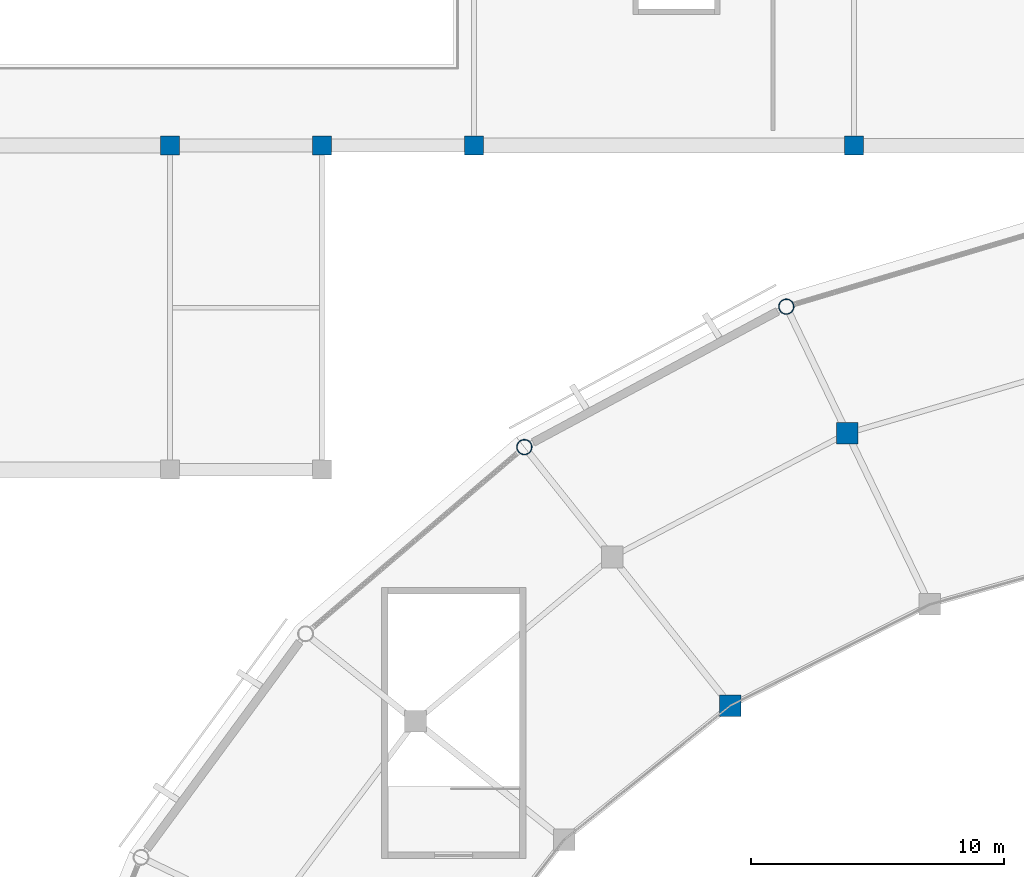
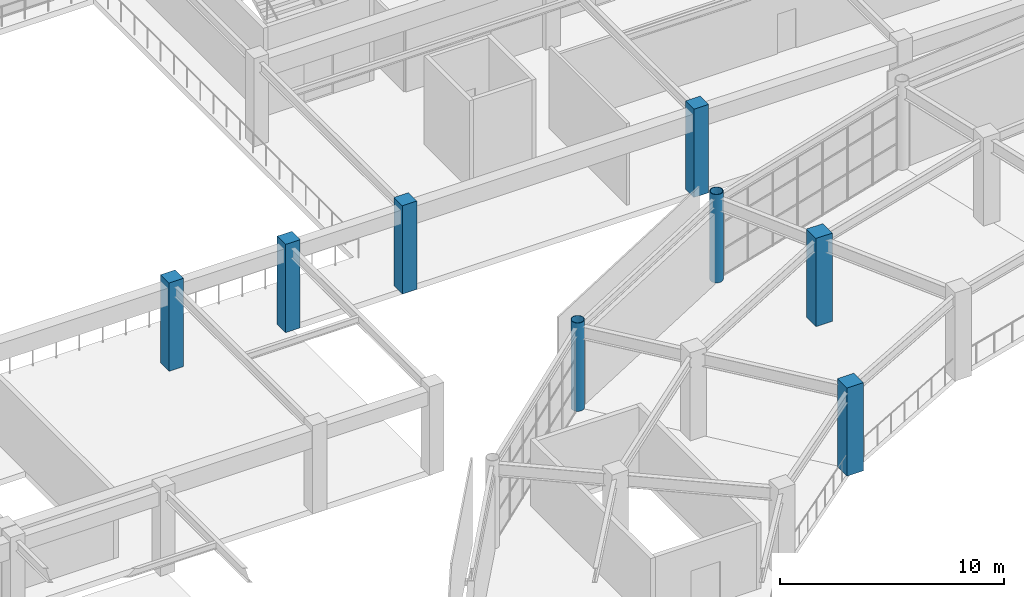
# One storey, part 8 of 112: 8 columns.
"""IFC4 building model written with IfcOpenShell, lengths in metres."""

import ifcopenshell
import ifcopenshell.guid

model = None  # the IFC model being written
_history = None  # IfcOwnerHistory: only IFC2X3 demands one
_inside = {}  # id of a spatial element -> (the spatial element, [elements in it])
_under = {}  # id of a project, library or spatial element -> (it, [spatial elements below it])
_declared = {}  # id of a project -> (the project, [libraries it declares])
_typed = {}  # id of a type object -> (the type object, [elements of that type])
_made_of = {}  # id of a material, layer set ... -> (it, [elements and type objects made of it])


def new_model(schema):
    """Start an empty IFC model of exactly this schema.

    Asked for "IFC4X3", IfcOpenShell would pick the latest addendum, in which some entities
    have other attributes; the version numbers below select the first issue.
    IFC2X3 requires an IfcOwnerHistory on every rooted entity: one is made here for all.
    """
    global model, _history
    if schema == "IFC4X3":
        model = ifcopenshell.file(schema_version=(4, 3, 0, 0))
    else:
        model = ifcopenshell.file(schema=schema)
    _inside.clear()
    _under.clear()
    _declared.clear()
    _typed.clear()
    _made_of.clear()
    _history = None
    if model.schema == "IFC2X3":
        org = make("IfcOrganization", Name="unknown")
        user = make(
            "IfcPersonAndOrganization",
            ThePerson=make("IfcPerson", FamilyName="unknown"),
            TheOrganization=org,
        )
        app = make(
            "IfcApplication",
            ApplicationDeveloper=org,
            Version="unknown",
            ApplicationFullName="unknown",
            ApplicationIdentifier="unknown",
        )
        _history = make(
            "IfcOwnerHistory",
            OwningUser=user,
            OwningApplication=app,
            ChangeAction="ADDED",
            CreationDate=0,
        )
    return model


def make(cls, **values):
    """One entity of the class cls with the attributes given. An attribute that is None is left unset."""
    return model.create_entity(
        cls, **{name: value for name, value in values.items() if value is not None}
    )


def rooted(cls, **values):
    """An entity with a GlobalId (a new one), such as an element, a storey or a relation."""
    return make(cls, GlobalId=ifcopenshell.guid.new(), OwnerHistory=_history, **values)


def si_unit(unit_type, name, prefix=None):
    """IfcSIUnit, for example si_unit("LENGTHUNIT", "METRE", prefix="MILLI")."""
    return make("IfcSIUnit", UnitType=unit_type, Prefix=prefix, Name=name)


def assignment(units):
    """IfcUnitAssignment: the units of a project."""
    return None if units is None else make("IfcUnitAssignment", Units=units)


def point(xyz):
    """IfcCartesianPoint."""
    return None if xyz is None else make("IfcCartesianPoint", Coordinates=xyz)


def direction(xyz):
    """IfcDirection."""
    return None if xyz is None else make("IfcDirection", DirectionRatios=xyz)


def frame(location, z_axis=None, x_axis=None):
    """IfcAxis2Placement3D, a coordinate frame: its origin and axes. An axis left out is left unset."""
    return make(
        "IfcAxis2Placement3D",
        Location=point(location),
        Axis=direction(z_axis),
        RefDirection=direction(x_axis),
    )


def frame_2d(location, x_axis=None):
    """IfcAxis2Placement2D, a coordinate frame in the plane: its origin and x axis."""
    return make(
        "IfcAxis2Placement2D", Location=point(location), RefDirection=direction(x_axis)
    )


def origin():
    """The frame at (0, 0, 0) with its axes left unset."""
    return frame((0.0, 0.0, 0.0))


def origin_2d():
    """The frame at (0, 0) in the plane with its x axis left unset."""
    return frame_2d((0.0, 0.0))


def place(relative_to, where):
    """IfcLocalPlacement: puts the frame where relative to a parent placement (None: the world)."""
    return make(
        "IfcLocalPlacement", PlacementRelTo=relative_to, RelativePlacement=where
    )


def context(
    kind, dimensions, precision=None, world=None, true_north=None, identifier=None
):
    """IfcGeometricRepresentationContext, for example the 3D "Model" context."""
    return make(
        "IfcGeometricRepresentationContext",
        ContextIdentifier=identifier,
        ContextType=kind,
        CoordinateSpaceDimension=dimensions,
        Precision=precision,
        WorldCoordinateSystem=world,
        TrueNorth=true_north,
    )


def subcontext(parent, identifier, kind, view, scale=None):
    """IfcGeometricRepresentationSubContext, for example "Body" below "Model"."""
    return make(
        "IfcGeometricRepresentationSubContext",
        ContextIdentifier=identifier,
        ContextType=kind,
        ParentContext=parent,
        TargetScale=scale,
        TargetView=view,
    )


def project(units=None, contexts=None):
    """IfcProject with its units and contexts."""
    return rooted(
        "IfcProject",
        Name="project",
        RepresentationContexts=contexts,
        UnitsInContext=assignment(units),
    )


def spatial(cls, under=None, at=None, **own):
    """A site, building, storey or space (cls), placed at a placement, below another one or the project."""
    s = rooted(cls, ObjectPlacement=at, **own)
    if under is not None:
        _under.setdefault(under.id(), (under, []))[1].append(s)
    return s


def profile(cls, at=None, kind="AREA", **sizes):
    """A parametric profile (cls). Its sizes go by their IFC names, for example OverallWidth=200.0."""
    return make(cls, ProfileType=kind, Position=at, **sizes)


def rectangle(**sizes):
    """IfcRectangleProfileDef."""
    return profile("IfcRectangleProfileDef", **sizes)


def hollow_circle(**sizes):
    """IfcCircleHollowProfileDef."""
    return profile("IfcCircleHollowProfileDef", **sizes)


def extrude(swept, where, along, depth):
    """IfcExtrudedAreaSolid: the profile swept, set in the frame where, extruded along a direction by depth."""
    return make(
        "IfcExtrudedAreaSolid",
        SweptArea=swept,
        Position=where,
        ExtrudedDirection=direction(along),
        Depth=depth,
    )


def shape(context_of_items, identifier, shape_type, items):
    """IfcShapeRepresentation: the items that make up one representation, for example the "Body"."""
    return make(
        "IfcShapeRepresentation",
        ContextOfItems=context_of_items,
        RepresentationIdentifier=identifier,
        RepresentationType=shape_type,
        Items=items,
    )


def material(Name=None, Category=None):
    """IfcMaterial."""
    return make("IfcMaterial", Name=Name, Category=Category)


def material_profile(
    of_material, cross_section, Name=None, Category=None, Priority=None
):
    """IfcMaterialProfile: a cross section and its material."""
    return make(
        "IfcMaterialProfile",
        Name=Name,
        Material=of_material,
        Profile=cross_section,
        Priority=Priority,
        Category=Category,
    )


def profile_set(profiles, Name=None, composite=None):
    """IfcMaterialProfileSet."""
    return make(
        "IfcMaterialProfileSet",
        Name=Name,
        MaterialProfiles=profiles,
        CompositeProfile=composite,
    )


def made_of(thing, what):
    """Note that an element or type object is made of a material, layer set ...; save() writes the relation."""
    if what is not None:
        _made_of.setdefault(what.id(), (what, []))[1].append(thing)
    return thing


def type_object(cls, material=None, **own):
    """A type object (cls), such as IfcWallType, which elements share."""
    return made_of(rooted(cls, **own), material)


def element(
    cls,
    number,
    at=None,
    inside=None,
    cuts=None,
    type_object=None,
    material=None,
    context=None,
    identifier="Body",
    shape_type=None,
    held_by="IfcProductDefinitionShape",
    body=None,
    shapes=None,
    **own,
):
    """One element of the class cls, such as IfcWall. Its Tag is "e" and its number.

    at: its placement. inside: the storey or other place that contains it. cuts: it is an
    opening in that element (IfcRelVoidsElement). A single representation is given by context,
    identifier, shape_type and body (its items); several are given by shapes. held_by: the class
    of the entity that holds the representations. save() writes the other relations.
    """
    e = rooted(cls, Tag="e%d" % number, ObjectPlacement=at, **own)
    if body is not None:
        shapes = [shape(context, identifier, shape_type, body)]
    if shapes is not None:
        e.Representation = make(held_by, Representations=shapes)
    if inside is not None:
        _inside.setdefault(inside.id(), (inside, []))[1].append(e)
    if cuts is not None:
        rooted(
            "IfcRelVoidsElement", RelatingBuildingElement=cuts, RelatedOpeningElement=e
        )
    if type_object is not None:
        _typed.setdefault(type_object.id(), (type_object, []))[1].append(e)
    return made_of(e, material)


def aggregate(whole, parts):
    """IfcRelAggregates: a whole, such as a stair, and the parts it consists of."""
    return rooted("IfcRelAggregates", RelatingObject=whole, RelatedObjects=parts)


def save(model, path):
    """Write the relations noted so far, then the file.

    IfcRelAggregates (storeys below a building ...), IfcRelContainedInSpatialStructure (elements
    in a storey), IfcRelDefinesByType, IfcRelAssociatesMaterial and IfcRelDeclares: one each for
    every whole, place, type object, material and project.
    """
    for whole, parts in _under.values():
        aggregate(whole, parts)
    for where, things in _inside.values():
        rooted(
            "IfcRelContainedInSpatialStructure",
            RelatedElements=things,
            RelatingStructure=where,
        )
    for kind, things in _typed.values():
        rooted("IfcRelDefinesByType", RelatedObjects=things, RelatingType=kind)
    for what, things in _made_of.values():
        rooted("IfcRelAssociatesMaterial", RelatedObjects=things, RelatingMaterial=what)
    for by, libraries in _declared.values():
        rooted("IfcRelDeclares", RelatingContext=by, RelatedDefinitions=libraries)
    model.write(path)


model = new_model("IFC4")

# Units and contexts
model_context = context("Model", 3, precision=1e-05, world=origin(), true_north=direction((0.0, 1.0)))
body_context = subcontext(model_context, "Body", "Model", "MODEL_VIEW")
ifc_project = project(units=[si_unit("LENGTHUNIT", "METRE"), si_unit("AREAUNIT", "SQUARE_METRE"), si_unit("VOLUMEUNIT", "CUBIC_METRE"), si_unit("PLANEANGLEUNIT", "RADIAN"), si_unit("MASSUNIT", "GRAM", prefix="KILO")], contexts=[model_context])

# Site, building, storey
site_placement = place(None, origin())
site = spatial("IfcSite", under=ifc_project, at=site_placement, CompositionType="ELEMENT")
building_placement = place(site_placement, origin())
building = spatial("IfcBuilding", under=site, at=building_placement, Name="Cuetzalor Civic Arena", CompositionType="ELEMENT")
storey_placement = place(building_placement, frame((0.0, 0.0, 11.39990234375)))
storey = spatial("IfcBuildingStorey", under=building, at=storey_placement, Name="L02", CompositionType="ELEMENT", Elevation=11.39990234375)

# Columns
ifc_material_1 = material(Name="Concrete C40/50", Category="concrete")
ifc_material_profile_1 = material_profile(ifc_material_1, rectangle(XDim=0.75, YDim=0.75, at=origin_2d()), Name="RC 750x750")
ifc_profile_set_1 = profile_set([ifc_material_profile_1], Name="Concrete C40/50")
column_type_1 = type_object("IfcColumnType", Name="ConcreteColumn_750", PredefinedType="COLUMN", material=ifc_profile_set_1)
for number, where, z_axis, x_axis, name in (
    (1, (-48.0, 48.300048828125, 0.0), (0.0, 0.0, 1.0), (1.0, 0.0, 0.0), "Column V5-C-03-02 L02"),
    (2, (-42.0, 48.300048828125, 0.0), (0.0, 0.0, 1.0), (1.0, 0.0, 0.0), "Column V5-C-04-02 L02"),
    (3, (-36.0, 48.300048828125, 0.0), (0.0, 0.0, 1.0), (1.0, 0.0, 0.0), "Column V5-C-05-02 L02"),
    (4, (-21.0, 48.300048828125, 0.0), (0.0, 0.0, 1.0), (1.0, 0.0, 0.0), "Column V5-C-06-02 L02"),
):
    element("IfcColumn", number, at=place(storey_placement, frame(where, z_axis=z_axis, x_axis=x_axis)), inside=storey, type_object=column_type_1, Name=name, PredefinedType="COLUMN", context=body_context, shape_type="SweptSolid", body=[
        extrude(rectangle(XDim=0.75, YDim=0.75, at=origin_2d()), origin(), (0.0, 0.0, 1.0), 4.800048828125),
    ])
ifc_material_2 = material(Name="Concrete C40/50", Category="concrete")
ifc_material_profile_2 = material_profile(ifc_material_2, rectangle(XDim=0.85009765625, YDim=0.85009765625, at=origin_2d()), Name="RC 850x850")
ifc_profile_set_2 = profile_set([ifc_material_profile_2], Name="Concrete C40/50")
column_type_2 = type_object("IfcColumnType", Name="ConcreteColumn_850", PredefinedType="COLUMN", material=ifc_profile_set_2)
for number, where, z_axis, x_axis, name in (
    (5, (-21.26025390625, 36.939697265625, 0.0), (0.0, 0.0, 1.0), (1.0, 0.0, 0.0), "Column V1-REC-10 L02"),
    (6, (-25.874755859375, 26.19140625, 0.0), (0.0, 0.0, 1.0), (1.0, 0.0, 0.0), "Column V1-MID-11 L02"),
):
    element("IfcColumn", number, at=place(storey_placement, frame(where, z_axis=z_axis, x_axis=x_axis)), inside=storey, type_object=column_type_2, Name=name, PredefinedType="COLUMN", context=body_context, shape_type="SweptSolid", body=[
        extrude(rectangle(XDim=0.85009765625, YDim=0.85009765625, at=origin_2d()), origin(), (0.0, 0.0, 1.0), 4.800048828125),
    ])
ifc_material_3 = material(Name="Steel S355", Category="steel")
ifc_material_profile_3 = material_profile(ifc_material_3, hollow_circle(Radius=0.304931640625, WallThickness=0.02490234375, at=origin_2d()), Name="CHS 610x25")
ifc_profile_set_3 = profile_set([ifc_material_profile_3], Name="Steel S355")
column_type_3 = type_object("IfcColumnType", Name="SteelDomePylon_CHS610", PredefinedType="COLUMN", material=ifc_profile_set_3)
for number, where, z_axis, x_axis, name in (
    (7, (-23.66845703125, 41.940185546875, 0.0), (0.0, 0.0, 1.0), (1.0, 0.0, 0.0), "Column V1-PYL-10 L02"),
    (8, (-34.011474609375, 36.394287109375, 0.0), (0.0, 0.0, 1.0), (1.0, 0.0, 0.0), "Column V1-PYL-11 L02"),
):
    element("IfcColumn", number, at=place(storey_placement, frame(where, z_axis=z_axis, x_axis=x_axis)), inside=storey, type_object=column_type_3, Name=name, PredefinedType="COLUMN", context=body_context, shape_type="SweptSolid", body=[
        extrude(hollow_circle(Radius=0.304931640625, WallThickness=0.02490234375, at=origin_2d()), origin(), (0.0, 0.0, 1.0), 4.800048828125),
    ])

save(model, "model.ifc")
